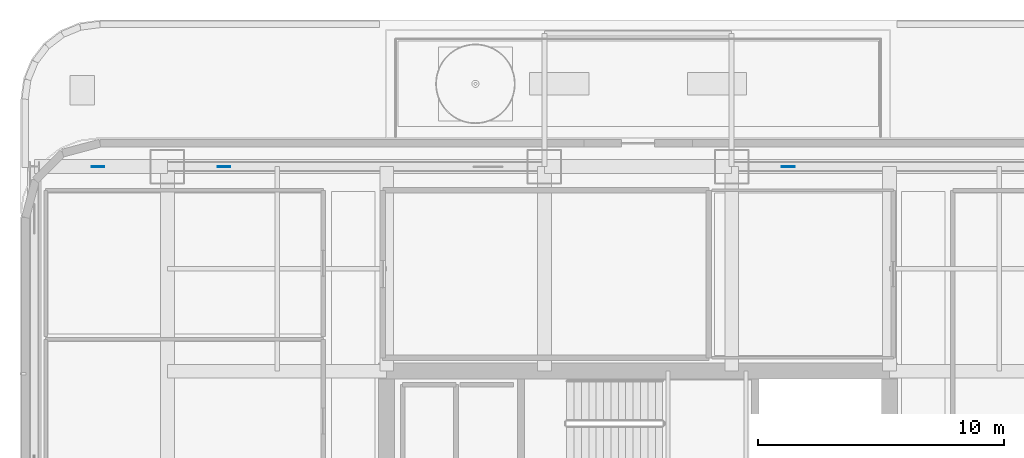
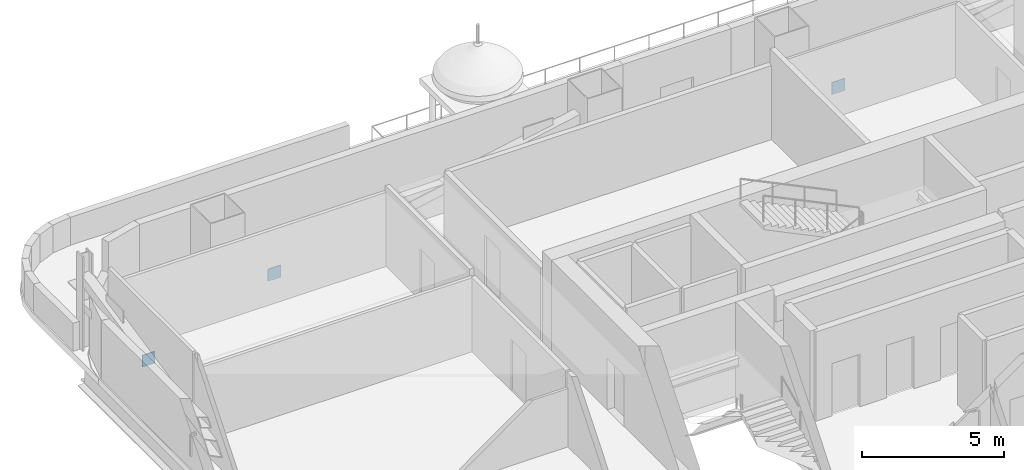
# One storey, part 9 of 29: 3 plates.
"""IFC4 building model written with IfcOpenShell, lengths in metres."""

from ifc_helpers import new_model, si_unit, direction, frame, origin, origin_2d, place, context, subcontext, project, spatial, rectangle, extrude, material, layer, layer_set, type_object, element, save


model = new_model("IFC4")

# Units and contexts
model_context = context("Model", 3, precision=1e-05, world=origin(), true_north=direction((0.0, 1.0)))
body_context = subcontext(model_context, "Body", "Model", "MODEL_VIEW")
ifc_project = project(units=[si_unit("LENGTHUNIT", "METRE"), si_unit("AREAUNIT", "SQUARE_METRE"), si_unit("VOLUMEUNIT", "CUBIC_METRE"), si_unit("PLANEANGLEUNIT", "RADIAN"), si_unit("MASSUNIT", "GRAM", prefix="KILO")], contexts=[model_context])

# Site, building, storey
site_placement = place(None, origin())
site = spatial("IfcSite", under=ifc_project, at=site_placement, CompositionType="ELEMENT")
building_placement = place(site_placement, origin())
building = spatial("IfcBuilding", under=site, at=building_placement, Name="Punatoya Terracotta Tower", CompositionType="ELEMENT")
storey_placement = place(building_placement, frame((0.0, 0.0, 172.199951171875)))
storey = spatial("IfcBuildingStorey", under=building, at=storey_placement, Name="L40", CompositionType="ELEMENT", Elevation=172.199951171875)

# Plates
ifc_material = material(Name="Steel S460", Category="steel")
ifc_layer = layer(ifc_material, 0.031982421875)
ifc_layer_set = layer_set([ifc_layer], Name="Steel S460")
plate_type = type_object("IfcPlateType", Name="PLT-END-32", PredefinedType="USERDEFINED", material=ifc_layer_set)
for number, where, z_axis, x_axis, name in (
    (1, (-16.804931640625, 17.5, 0.21142578125), (0.0, 0.0, 1.0), (1.0, 0.0, 0.0), "L40 Exoskeleton Base Node Plate N1"),
    (2, (6.094970703125, 17.5, 0.21142578125), (0.0, 0.0, 1.0), (1.0, 0.0, 0.0), "L40 Exoskeleton Base Node Plate N3"),
):
    element("IfcPlate", number, at=place(storey_placement, frame(where, z_axis=z_axis, x_axis=x_axis)), inside=storey, type_object=plate_type, Name=name, ObjectType="FLANGE_PLATE", PredefinedType="USERDEFINED", context=body_context, shape_type="SweptSolid", body=[
        extrude(rectangle(XDim=0.52001953125, YDim=0.031982421875, at=origin_2d()), origin(), (0.0, 0.0, 1.0), 0.52001953125),
    ])
plate_placement = place(storey_placement, frame((-21.916015625, 17.5, -1.683837890625), z_axis=(0.0, 0.0, 1.0), x_axis=(1.0, 0.0, 0.0)))
element("IfcPlate", 3, at=plate_placement, inside=storey, type_object=plate_type, Name="L40 Knee-Strut Upper End Cap Plate W2", ObjectType="FLANGE_PLATE", PredefinedType="USERDEFINED", context=body_context, shape_type="SweptSolid", body=[
    extrude(rectangle(XDim=0.5, YDim=0.031982421875, at=origin_2d()), origin(), (0.0, 0.0, 1.0), 0.5),
])

save(model, "model.ifc")
